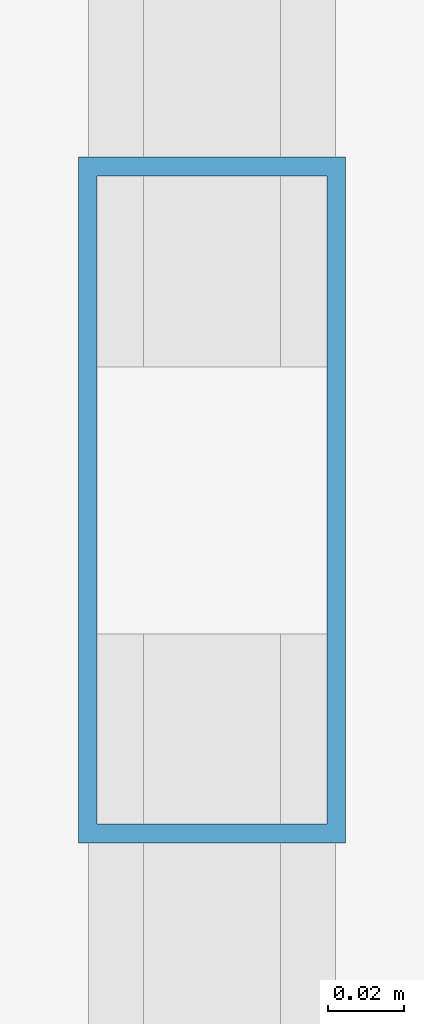
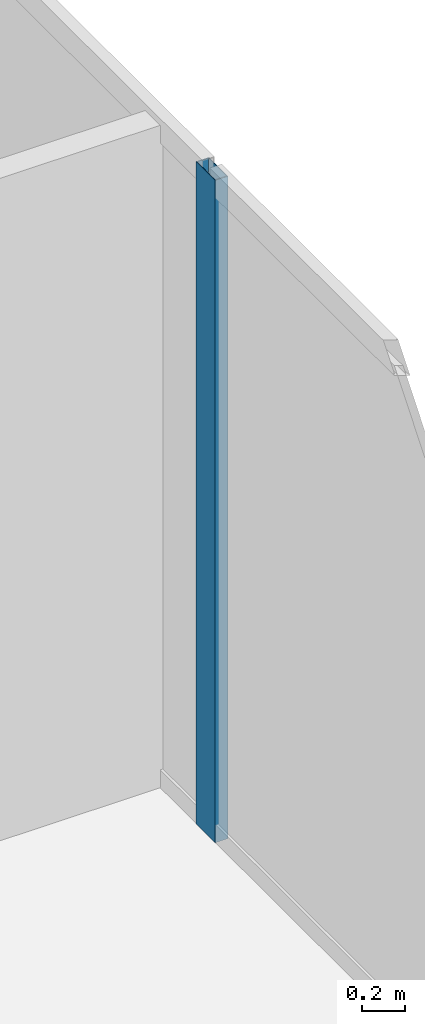
# One storey, part 24 of 33: 1 member, 1 element without a shape of its own.
"""IFC4 building model written with IfcOpenShell, lengths in metres."""

import ifcopenshell
import ifcopenshell.guid

model = None  # the IFC model being written
_history = None  # IfcOwnerHistory: only IFC2X3 demands one
_inside = {}  # id of a spatial element -> (the spatial element, [elements in it])
_under = {}  # id of a project, library or spatial element -> (it, [spatial elements below it])
_declared = {}  # id of a project -> (the project, [libraries it declares])
_typed = {}  # id of a type object -> (the type object, [elements of that type])
_made_of = {}  # id of a material, layer set ... -> (it, [elements and type objects made of it])


def new_model(schema):
    """Start an empty IFC model of exactly this schema.

    Asked for "IFC4X3", IfcOpenShell would pick the latest addendum, in which some entities
    have other attributes; the version numbers below select the first issue.
    IFC2X3 requires an IfcOwnerHistory on every rooted entity: one is made here for all.
    """
    global model, _history
    if schema == "IFC4X3":
        model = ifcopenshell.file(schema_version=(4, 3, 0, 0))
    else:
        model = ifcopenshell.file(schema=schema)
    _inside.clear()
    _under.clear()
    _declared.clear()
    _typed.clear()
    _made_of.clear()
    _history = None
    if model.schema == "IFC2X3":
        org = make("IfcOrganization", Name="unknown")
        user = make(
            "IfcPersonAndOrganization",
            ThePerson=make("IfcPerson", FamilyName="unknown"),
            TheOrganization=org,
        )
        app = make(
            "IfcApplication",
            ApplicationDeveloper=org,
            Version="unknown",
            ApplicationFullName="unknown",
            ApplicationIdentifier="unknown",
        )
        _history = make(
            "IfcOwnerHistory",
            OwningUser=user,
            OwningApplication=app,
            ChangeAction="ADDED",
            CreationDate=0,
        )
    return model


def make(cls, **values):
    """One entity of the class cls with the attributes given. An attribute that is None is left unset."""
    return model.create_entity(
        cls, **{name: value for name, value in values.items() if value is not None}
    )


def rooted(cls, **values):
    """An entity with a GlobalId (a new one), such as an element, a storey or a relation."""
    return make(cls, GlobalId=ifcopenshell.guid.new(), OwnerHistory=_history, **values)


def si_unit(unit_type, name, prefix=None):
    """IfcSIUnit, for example si_unit("LENGTHUNIT", "METRE", prefix="MILLI")."""
    return make("IfcSIUnit", UnitType=unit_type, Prefix=prefix, Name=name)


def assignment(units):
    """IfcUnitAssignment: the units of a project."""
    return None if units is None else make("IfcUnitAssignment", Units=units)


def point(xyz):
    """IfcCartesianPoint."""
    return None if xyz is None else make("IfcCartesianPoint", Coordinates=xyz)


def direction(xyz):
    """IfcDirection."""
    return None if xyz is None else make("IfcDirection", DirectionRatios=xyz)


def frame(location, z_axis=None, x_axis=None):
    """IfcAxis2Placement3D, a coordinate frame: its origin and axes. An axis left out is left unset."""
    return make(
        "IfcAxis2Placement3D",
        Location=point(location),
        Axis=direction(z_axis),
        RefDirection=direction(x_axis),
    )


def frame_2d(location, x_axis=None):
    """IfcAxis2Placement2D, a coordinate frame in the plane: its origin and x axis."""
    return make(
        "IfcAxis2Placement2D", Location=point(location), RefDirection=direction(x_axis)
    )


def origin():
    """The frame at (0, 0, 0) with its axes left unset."""
    return frame((0.0, 0.0, 0.0))


def origin_2d():
    """The frame at (0, 0) in the plane with its x axis left unset."""
    return frame_2d((0.0, 0.0))


def place(relative_to, where):
    """IfcLocalPlacement: puts the frame where relative to a parent placement (None: the world)."""
    return make(
        "IfcLocalPlacement", PlacementRelTo=relative_to, RelativePlacement=where
    )


def context(
    kind, dimensions, precision=None, world=None, true_north=None, identifier=None
):
    """IfcGeometricRepresentationContext, for example the 3D "Model" context."""
    return make(
        "IfcGeometricRepresentationContext",
        ContextIdentifier=identifier,
        ContextType=kind,
        CoordinateSpaceDimension=dimensions,
        Precision=precision,
        WorldCoordinateSystem=world,
        TrueNorth=true_north,
    )


def subcontext(parent, identifier, kind, view, scale=None):
    """IfcGeometricRepresentationSubContext, for example "Body" below "Model"."""
    return make(
        "IfcGeometricRepresentationSubContext",
        ContextIdentifier=identifier,
        ContextType=kind,
        ParentContext=parent,
        TargetScale=scale,
        TargetView=view,
    )


def project(units=None, contexts=None):
    """IfcProject with its units and contexts."""
    return rooted(
        "IfcProject",
        Name="project",
        RepresentationContexts=contexts,
        UnitsInContext=assignment(units),
    )


def spatial(cls, under=None, at=None, **own):
    """A site, building, storey or space (cls), placed at a placement, below another one or the project."""
    s = rooted(cls, ObjectPlacement=at, **own)
    if under is not None:
        _under.setdefault(under.id(), (under, []))[1].append(s)
    return s


def profile(cls, at=None, kind="AREA", **sizes):
    """A parametric profile (cls). Its sizes go by their IFC names, for example OverallWidth=200.0."""
    return make(cls, ProfileType=kind, Position=at, **sizes)


def hollow_rectangle(**sizes):
    """IfcRectangleHollowProfileDef."""
    return profile("IfcRectangleHollowProfileDef", **sizes)


def extrude(swept, where, along, depth):
    """IfcExtrudedAreaSolid: the profile swept, set in the frame where, extruded along a direction by depth."""
    return make(
        "IfcExtrudedAreaSolid",
        SweptArea=swept,
        Position=where,
        ExtrudedDirection=direction(along),
        Depth=depth,
    )


def shape(context_of_items, identifier, shape_type, items):
    """IfcShapeRepresentation: the items that make up one representation, for example the "Body"."""
    return make(
        "IfcShapeRepresentation",
        ContextOfItems=context_of_items,
        RepresentationIdentifier=identifier,
        RepresentationType=shape_type,
        Items=items,
    )


def source(mapping_origin, context_of_items, identifier, shape_type, items):
    """IfcRepresentationMap: a shape defined once, which mapped items show again and again."""
    return make(
        "IfcRepresentationMap",
        MappingOrigin=mapping_origin,
        MappedRepresentation=shape(context_of_items, identifier, shape_type, items),
    )


def transform(
    local_origin,
    x_axis=None,
    y_axis=None,
    z_axis=None,
    scale=None,
    scale2=None,
    scale3=None,
    uniform=True,
):
    """IfcCartesianTransformationOperator3D, or its non-uniform kind. x_axis, y_axis, z_axis: its Axis1, 2, 3."""
    if uniform:
        return make(
            "IfcCartesianTransformationOperator3D",
            Axis1=direction(x_axis),
            Axis2=direction(y_axis),
            LocalOrigin=point(local_origin),
            Scale=scale,
            Axis3=direction(z_axis),
        )
    return make(
        "IfcCartesianTransformationOperator3DnonUniform",
        Axis1=direction(x_axis),
        Axis2=direction(y_axis),
        LocalOrigin=point(local_origin),
        Scale=scale,
        Axis3=direction(z_axis),
        Scale2=scale2,
        Scale3=scale3,
    )


def mapped(mapping_source, mapping_target):
    """IfcMappedItem: shows the shape of a source again, moved by a transform."""
    return make(
        "IfcMappedItem", MappingSource=mapping_source, MappingTarget=mapping_target
    )


def material(Name=None, Category=None):
    """IfcMaterial."""
    return make("IfcMaterial", Name=Name, Category=Category)


def layer(
    of_material, thickness, ventilated=None, Name=None, Category=None, Priority=None
):
    """IfcMaterialLayer: one layer of a wall or slab, of a material (None: an air gap)."""
    return make(
        "IfcMaterialLayer",
        Material=of_material,
        LayerThickness=thickness,
        IsVentilated=ventilated,
        Name=Name,
        Category=Category,
        Priority=Priority,
    )


def layer_set(layers, Name=None):
    """IfcMaterialLayerSet."""
    return make("IfcMaterialLayerSet", MaterialLayers=layers, LayerSetName=Name)


def material_profile(
    of_material, cross_section, Name=None, Category=None, Priority=None
):
    """IfcMaterialProfile: a cross section and its material."""
    return make(
        "IfcMaterialProfile",
        Name=Name,
        Material=of_material,
        Profile=cross_section,
        Priority=Priority,
        Category=Category,
    )


def profile_set(profiles, Name=None, composite=None):
    """IfcMaterialProfileSet."""
    return make(
        "IfcMaterialProfileSet",
        Name=Name,
        MaterialProfiles=profiles,
        CompositeProfile=composite,
    )


def made_of(thing, what):
    """Note that an element or type object is made of a material, layer set ...; save() writes the relation."""
    if what is not None:
        _made_of.setdefault(what.id(), (what, []))[1].append(thing)
    return thing


def type_object(cls, material=None, **own):
    """A type object (cls), such as IfcWallType, which elements share."""
    return made_of(rooted(cls, **own), material)


def type_shapes(of_type, sources):
    """Give a type object the sources (RepresentationMaps) that its elements show as mapped items."""
    of_type.RepresentationMaps = sources


def element(
    cls,
    number,
    at=None,
    inside=None,
    cuts=None,
    type_object=None,
    material=None,
    context=None,
    identifier="Body",
    shape_type=None,
    held_by="IfcProductDefinitionShape",
    body=None,
    shapes=None,
    **own,
):
    """One element of the class cls, such as IfcWall. Its Tag is "e" and its number.

    at: its placement. inside: the storey or other place that contains it. cuts: it is an
    opening in that element (IfcRelVoidsElement). A single representation is given by context,
    identifier, shape_type and body (its items); several are given by shapes. held_by: the class
    of the entity that holds the representations. save() writes the other relations.
    """
    e = rooted(cls, Tag="e%d" % number, ObjectPlacement=at, **own)
    if body is not None:
        shapes = [shape(context, identifier, shape_type, body)]
    if shapes is not None:
        e.Representation = make(held_by, Representations=shapes)
    if inside is not None:
        _inside.setdefault(inside.id(), (inside, []))[1].append(e)
    if cuts is not None:
        rooted(
            "IfcRelVoidsElement", RelatingBuildingElement=cuts, RelatedOpeningElement=e
        )
    if type_object is not None:
        _typed.setdefault(type_object.id(), (type_object, []))[1].append(e)
    return made_of(e, material)


def aggregate(whole, parts):
    """IfcRelAggregates: a whole, such as a stair, and the parts it consists of."""
    return rooted("IfcRelAggregates", RelatingObject=whole, RelatedObjects=parts)


def save(model, path):
    """Write the relations noted so far, then the file.

    IfcRelAggregates (storeys below a building ...), IfcRelContainedInSpatialStructure (elements
    in a storey), IfcRelDefinesByType, IfcRelAssociatesMaterial and IfcRelDeclares: one each for
    every whole, place, type object, material and project.
    """
    for whole, parts in _under.values():
        aggregate(whole, parts)
    for where, things in _inside.values():
        rooted(
            "IfcRelContainedInSpatialStructure",
            RelatedElements=things,
            RelatingStructure=where,
        )
    for kind, things in _typed.values():
        rooted("IfcRelDefinesByType", RelatedObjects=things, RelatingType=kind)
    for what, things in _made_of.values():
        rooted("IfcRelAssociatesMaterial", RelatedObjects=things, RelatingMaterial=what)
    for by, libraries in _declared.values():
        rooted("IfcRelDeclares", RelatingContext=by, RelatedDefinitions=libraries)
    model.write(path)


model = new_model("IFC4")

# Units and contexts
model_context = context("Model", 3, precision=1e-05, world=origin(), true_north=direction((0.0, 1.0)))
body_context = subcontext(model_context, "Body", "Model", "MODEL_VIEW")
ifc_project = project(units=[si_unit("LENGTHUNIT", "METRE"), si_unit("AREAUNIT", "SQUARE_METRE"), si_unit("VOLUMEUNIT", "CUBIC_METRE"), si_unit("PLANEANGLEUNIT", "RADIAN"), si_unit("MASSUNIT", "GRAM", prefix="KILO")], contexts=[model_context])

# Site, building, storey
site_placement = place(None, origin())
site = spatial("IfcSite", under=ifc_project, at=site_placement, CompositionType="ELEMENT")
building_placement = place(site_placement, origin())
building = spatial("IfcBuilding", under=site, at=building_placement, Name="Haelvirn Gate Laboratories", CompositionType="ELEMENT")
storey_placement = place(building_placement, frame((0.0, 0.0, 271.10009765625)))
storey = spatial("IfcBuildingStorey", under=building, at=storey_placement, Name="L65", CompositionType="ELEMENT", Elevation=271.10009765625)

# Curtain wall, member
ifc_material_1 = material(Name="Anodised bronze unitised aluminium & triple low-E glass", Category="aluminium")
ifc_layer = layer(ifc_material_1, 0.176025390625, Name="CW-SYS-4")
ifc_layer_set = layer_set([ifc_layer], Name="Anodised bronze unitised aluminium & triple low-E glass")
curtain_wall_type = type_object("IfcCurtainWallType", Name="CW-SYS-4", PredefinedType="NOTDEFINED", material=ifc_layer_set)
curtain_wall_placement = place(storey_placement, origin())
curtain_wall = element("IfcCurtainWall", 1, at=curtain_wall_placement, inside=storey, type_object=curtain_wall_type, Name="L65 Unitised Curtain Wall CW-L65-P0-E07", PredefinedType="NOTDEFINED")
ifc_material_2 = material(Name="Extruded aluminium 6063-T6 (anodised bronze)", Category="aluminium")
ifc_material_profile = material_profile(ifc_material_2, hollow_rectangle(XDim=0.070068359375, YDim=0.179931640625, WallThickness=0.0048828125, at=origin_2d()), Name="CWM-180x70x5")
ifc_profile_set = profile_set([ifc_material_profile], Name="Extruded aluminium 6063-T6 (anodised bronze)")
member_type = type_object("IfcMemberType", Name="CWM-T180", PredefinedType="MULLION", material=ifc_profile_set)
shared_shape = source(origin(), body_context, "Body", "SweptSolid", [
    extrude(hollow_rectangle(XDim=0.070068359375, YDim=0.179931640625, WallThickness=0.0048828125, at=origin_2d()), origin(), (0.0, 0.0, 1.0), 3.7998046875),
])
type_shapes(member_type, [shared_shape])
member_placement = place(storey_placement, frame((70.699951171875, 24.300048828125, 0.0), z_axis=(0.0, 0.0, 1.0), x_axis=(-1.0, 0.0, 0.0)))
member = element("IfcMember", 2, at=member_placement, type_object=member_type, Name="CW4 mullion 2", PredefinedType="MULLION", context=body_context, shape_type="MappedRepresentation", body=[
    mapped(shared_shape, transform((0.0, 0.0, 0.0), scale=1.0)),
])
aggregate(curtain_wall, [member])

save(model, "model.ifc")
